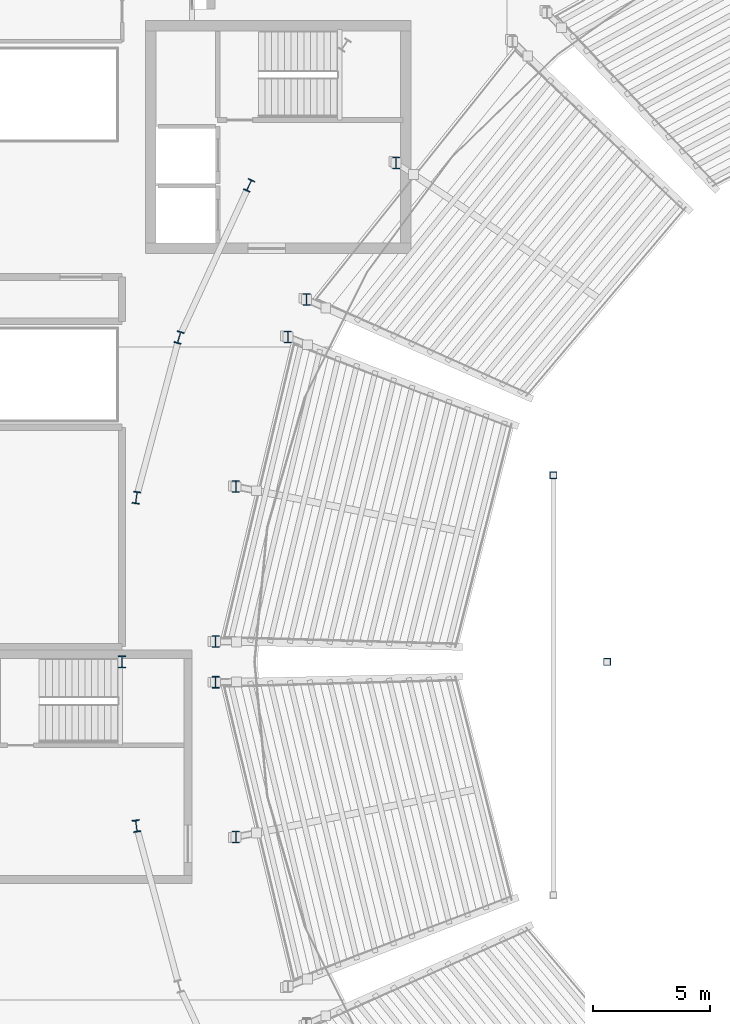
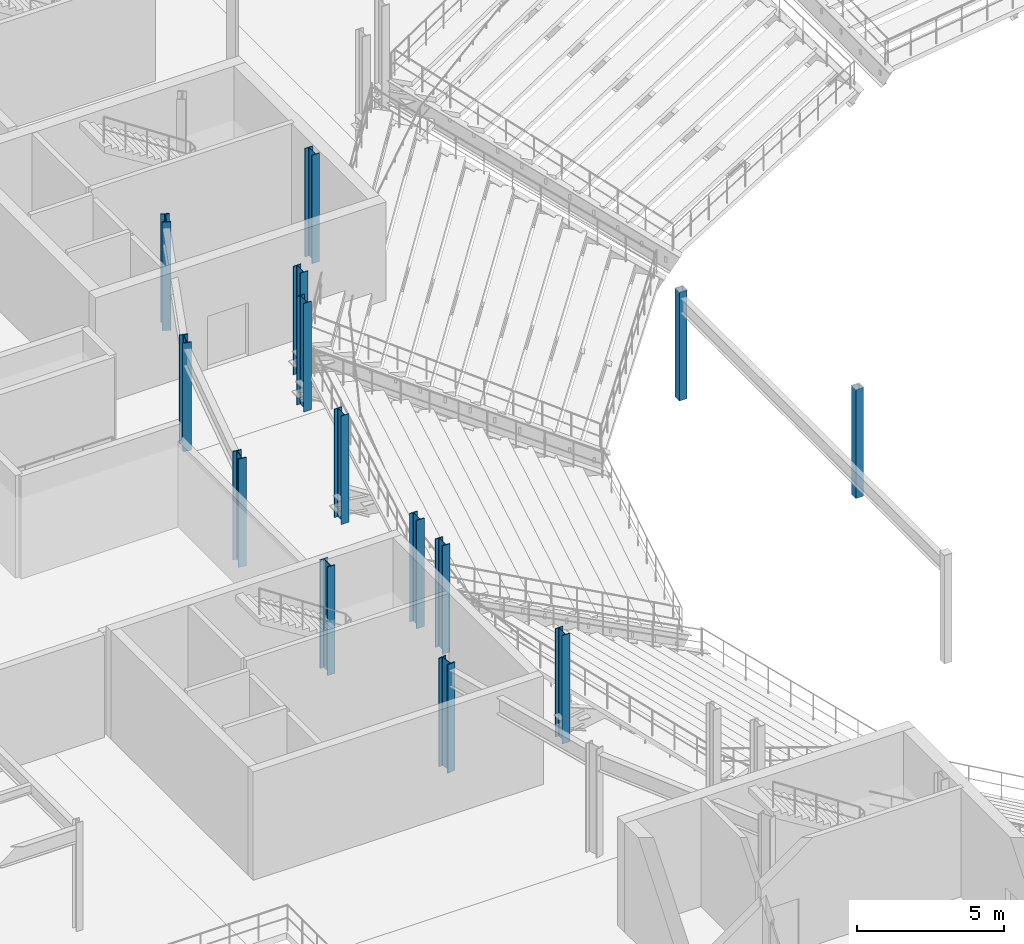
# One storey, part 9 of 81: 14 columns.
"""IFC4 building model written with IfcOpenShell, lengths in metres."""

import ifcopenshell
import ifcopenshell.guid

model = None  # the IFC model being written
_history = None  # IfcOwnerHistory: only IFC2X3 demands one
_inside = {}  # id of a spatial element -> (the spatial element, [elements in it])
_under = {}  # id of a project, library or spatial element -> (it, [spatial elements below it])
_declared = {}  # id of a project -> (the project, [libraries it declares])
_typed = {}  # id of a type object -> (the type object, [elements of that type])
_made_of = {}  # id of a material, layer set ... -> (it, [elements and type objects made of it])


def new_model(schema):
    """Start an empty IFC model of exactly this schema.

    Asked for "IFC4X3", IfcOpenShell would pick the latest addendum, in which some entities
    have other attributes; the version numbers below select the first issue.
    IFC2X3 requires an IfcOwnerHistory on every rooted entity: one is made here for all.
    """
    global model, _history
    if schema == "IFC4X3":
        model = ifcopenshell.file(schema_version=(4, 3, 0, 0))
    else:
        model = ifcopenshell.file(schema=schema)
    _inside.clear()
    _under.clear()
    _declared.clear()
    _typed.clear()
    _made_of.clear()
    _history = None
    if model.schema == "IFC2X3":
        org = make("IfcOrganization", Name="unknown")
        user = make(
            "IfcPersonAndOrganization",
            ThePerson=make("IfcPerson", FamilyName="unknown"),
            TheOrganization=org,
        )
        app = make(
            "IfcApplication",
            ApplicationDeveloper=org,
            Version="unknown",
            ApplicationFullName="unknown",
            ApplicationIdentifier="unknown",
        )
        _history = make(
            "IfcOwnerHistory",
            OwningUser=user,
            OwningApplication=app,
            ChangeAction="ADDED",
            CreationDate=0,
        )
    return model


def make(cls, **values):
    """One entity of the class cls with the attributes given. An attribute that is None is left unset."""
    return model.create_entity(
        cls, **{name: value for name, value in values.items() if value is not None}
    )


def rooted(cls, **values):
    """An entity with a GlobalId (a new one), such as an element, a storey or a relation."""
    return make(cls, GlobalId=ifcopenshell.guid.new(), OwnerHistory=_history, **values)


def si_unit(unit_type, name, prefix=None):
    """IfcSIUnit, for example si_unit("LENGTHUNIT", "METRE", prefix="MILLI")."""
    return make("IfcSIUnit", UnitType=unit_type, Prefix=prefix, Name=name)


def assignment(units):
    """IfcUnitAssignment: the units of a project."""
    return None if units is None else make("IfcUnitAssignment", Units=units)


def point(xyz):
    """IfcCartesianPoint."""
    return None if xyz is None else make("IfcCartesianPoint", Coordinates=xyz)


def direction(xyz):
    """IfcDirection."""
    return None if xyz is None else make("IfcDirection", DirectionRatios=xyz)


def frame(location, z_axis=None, x_axis=None):
    """IfcAxis2Placement3D, a coordinate frame: its origin and axes. An axis left out is left unset."""
    return make(
        "IfcAxis2Placement3D",
        Location=point(location),
        Axis=direction(z_axis),
        RefDirection=direction(x_axis),
    )


def frame_2d(location, x_axis=None):
    """IfcAxis2Placement2D, a coordinate frame in the plane: its origin and x axis."""
    return make(
        "IfcAxis2Placement2D", Location=point(location), RefDirection=direction(x_axis)
    )


def origin():
    """The frame at (0, 0, 0) with its axes left unset."""
    return frame((0.0, 0.0, 0.0))


def origin_2d():
    """The frame at (0, 0) in the plane with its x axis left unset."""
    return frame_2d((0.0, 0.0))


def place(relative_to, where):
    """IfcLocalPlacement: puts the frame where relative to a parent placement (None: the world)."""
    return make(
        "IfcLocalPlacement", PlacementRelTo=relative_to, RelativePlacement=where
    )


def context(
    kind, dimensions, precision=None, world=None, true_north=None, identifier=None
):
    """IfcGeometricRepresentationContext, for example the 3D "Model" context."""
    return make(
        "IfcGeometricRepresentationContext",
        ContextIdentifier=identifier,
        ContextType=kind,
        CoordinateSpaceDimension=dimensions,
        Precision=precision,
        WorldCoordinateSystem=world,
        TrueNorth=true_north,
    )


def subcontext(parent, identifier, kind, view, scale=None):
    """IfcGeometricRepresentationSubContext, for example "Body" below "Model"."""
    return make(
        "IfcGeometricRepresentationSubContext",
        ContextIdentifier=identifier,
        ContextType=kind,
        ParentContext=parent,
        TargetScale=scale,
        TargetView=view,
    )


def project(units=None, contexts=None):
    """IfcProject with its units and contexts."""
    return rooted(
        "IfcProject",
        Name="project",
        RepresentationContexts=contexts,
        UnitsInContext=assignment(units),
    )


def spatial(cls, under=None, at=None, **own):
    """A site, building, storey or space (cls), placed at a placement, below another one or the project."""
    s = rooted(cls, ObjectPlacement=at, **own)
    if under is not None:
        _under.setdefault(under.id(), (under, []))[1].append(s)
    return s


def profile(cls, at=None, kind="AREA", **sizes):
    """A parametric profile (cls). Its sizes go by their IFC names, for example OverallWidth=200.0."""
    return make(cls, ProfileType=kind, Position=at, **sizes)


def hollow_rectangle(**sizes):
    """IfcRectangleHollowProfileDef."""
    return profile("IfcRectangleHollowProfileDef", **sizes)


def i_section(**sizes):
    """IfcIShapeProfileDef."""
    return profile("IfcIShapeProfileDef", **sizes)


def extrude(swept, where, along, depth):
    """IfcExtrudedAreaSolid: the profile swept, set in the frame where, extruded along a direction by depth."""
    return make(
        "IfcExtrudedAreaSolid",
        SweptArea=swept,
        Position=where,
        ExtrudedDirection=direction(along),
        Depth=depth,
    )


def shape(context_of_items, identifier, shape_type, items):
    """IfcShapeRepresentation: the items that make up one representation, for example the "Body"."""
    return make(
        "IfcShapeRepresentation",
        ContextOfItems=context_of_items,
        RepresentationIdentifier=identifier,
        RepresentationType=shape_type,
        Items=items,
    )


def material(Name=None, Category=None):
    """IfcMaterial."""
    return make("IfcMaterial", Name=Name, Category=Category)


def material_profile(
    of_material, cross_section, Name=None, Category=None, Priority=None
):
    """IfcMaterialProfile: a cross section and its material."""
    return make(
        "IfcMaterialProfile",
        Name=Name,
        Material=of_material,
        Profile=cross_section,
        Priority=Priority,
        Category=Category,
    )


def profile_set(profiles, Name=None, composite=None):
    """IfcMaterialProfileSet."""
    return make(
        "IfcMaterialProfileSet",
        Name=Name,
        MaterialProfiles=profiles,
        CompositeProfile=composite,
    )


def made_of(thing, what):
    """Note that an element or type object is made of a material, layer set ...; save() writes the relation."""
    if what is not None:
        _made_of.setdefault(what.id(), (what, []))[1].append(thing)
    return thing


def type_object(cls, material=None, **own):
    """A type object (cls), such as IfcWallType, which elements share."""
    return made_of(rooted(cls, **own), material)


def element(
    cls,
    number,
    at=None,
    inside=None,
    cuts=None,
    type_object=None,
    material=None,
    context=None,
    identifier="Body",
    shape_type=None,
    held_by="IfcProductDefinitionShape",
    body=None,
    shapes=None,
    **own,
):
    """One element of the class cls, such as IfcWall. Its Tag is "e" and its number.

    at: its placement. inside: the storey or other place that contains it. cuts: it is an
    opening in that element (IfcRelVoidsElement). A single representation is given by context,
    identifier, shape_type and body (its items); several are given by shapes. held_by: the class
    of the entity that holds the representations. save() writes the other relations.
    """
    e = rooted(cls, Tag="e%d" % number, ObjectPlacement=at, **own)
    if body is not None:
        shapes = [shape(context, identifier, shape_type, body)]
    if shapes is not None:
        e.Representation = make(held_by, Representations=shapes)
    if inside is not None:
        _inside.setdefault(inside.id(), (inside, []))[1].append(e)
    if cuts is not None:
        rooted(
            "IfcRelVoidsElement", RelatingBuildingElement=cuts, RelatedOpeningElement=e
        )
    if type_object is not None:
        _typed.setdefault(type_object.id(), (type_object, []))[1].append(e)
    return made_of(e, material)


def aggregate(whole, parts):
    """IfcRelAggregates: a whole, such as a stair, and the parts it consists of."""
    return rooted("IfcRelAggregates", RelatingObject=whole, RelatedObjects=parts)


def save(model, path):
    """Write the relations noted so far, then the file.

    IfcRelAggregates (storeys below a building ...), IfcRelContainedInSpatialStructure (elements
    in a storey), IfcRelDefinesByType, IfcRelAssociatesMaterial and IfcRelDeclares: one each for
    every whole, place, type object, material and project.
    """
    for whole, parts in _under.values():
        aggregate(whole, parts)
    for where, things in _inside.values():
        rooted(
            "IfcRelContainedInSpatialStructure",
            RelatedElements=things,
            RelatingStructure=where,
        )
    for kind, things in _typed.values():
        rooted("IfcRelDefinesByType", RelatedObjects=things, RelatingType=kind)
    for what, things in _made_of.values():
        rooted("IfcRelAssociatesMaterial", RelatedObjects=things, RelatingMaterial=what)
    for by, libraries in _declared.values():
        rooted("IfcRelDeclares", RelatingContext=by, RelatedDefinitions=libraries)
    model.write(path)


model = new_model("IFC4")

# Units and contexts
model_context = context("Model", 3, precision=1e-05, world=origin(), true_north=direction((0.0, 1.0)))
body_context = subcontext(model_context, "Body", "Model", "MODEL_VIEW")
ifc_project = project(units=[si_unit("LENGTHUNIT", "METRE"), si_unit("AREAUNIT", "SQUARE_METRE"), si_unit("VOLUMEUNIT", "CUBIC_METRE"), si_unit("PLANEANGLEUNIT", "RADIAN"), si_unit("MASSUNIT", "GRAM", prefix="KILO")], contexts=[model_context])

# Site, building, storey
site_placement = place(None, origin())
site = spatial("IfcSite", under=ifc_project, at=site_placement, CompositionType="ELEMENT")
building_placement = place(site_placement, origin())
building = spatial("IfcBuilding", under=site, at=building_placement, Name="Glasvene Arena", CompositionType="ELEMENT")
storey_placement = place(building_placement, frame((0.0, 0.0, 15.0)))
storey = spatial("IfcBuildingStorey", under=building, at=storey_placement, Name="L03", CompositionType="ELEMENT", Elevation=15.0)

# Columns
ifc_material = material(Name="Steel S355J2", Category="steel")
ifc_material_profile_1 = material_profile(ifc_material, i_section(OverallWidth=0.305908203125, OverallDepth=0.52392578125, WebThickness=0.02099609375, FlangeThickness=0.0400390625, FilletRadius=0.027099609375, at=origin_2d()), Name="HEM 500")
ifc_profile_set_1 = profile_set([ifc_material_profile_1], Name="Steel S355J2")
column_type_1 = type_object("IfcColumnType", Name="COL-RING-HEM500", PredefinedType="COLUMN", material=ifc_profile_set_1)
for number, where, z_axis, x_axis, name in (
    (1, (47.44970703125, 93.4296875, 0.0), (0.0, 0.0, 1.0), (-0.909018020308, 0.416756810089, 0.0), "Bowl ring column R18 L03"),
    (2, (44.447265625, 86.90576171875, 0.0), (0.0, 0.0, 1.0), (-0.959805291975, 0.280666708921, 0.0), "Bowl ring column R19 L03"),
    (3, (42.615478515625, 80.03955078125, 0.0), (0.0, 0.0, 1.0), (-0.989999050734, 0.141074021516, 0.0), "Bowl ring column R20 L03"),
    (4, (42.0, 73.0, 0.0), (0.0, 0.0, 1.0), (-1.0, 0.0, 0.0), "Bowl ring column R21 L03"),
    (5, (42.615478515625, 65.96044921875, 0.0), (0.0, 0.0, 1.0), (-0.989999050734, -0.141074021516, 0.0), "Bowl ring column R22 L03"),
):
    element("IfcColumn", number, at=place(storey_placement, frame(where, z_axis=z_axis, x_axis=x_axis)), inside=storey, type_object=column_type_1, Name=name, PredefinedType="COLUMN", context=body_context, shape_type="SweptSolid", body=[
        extrude(i_section(OverallWidth=0.305908203125, OverallDepth=0.52392578125, WebThickness=0.02099609375, FlangeThickness=0.0400390625, FilletRadius=0.027099609375, at=origin_2d()), origin(), (0.0, 0.0, 1.0), 4.5),
    ])
ifc_material_profile_2 = material_profile(ifc_material, i_section(OverallWidth=0.300048828125, OverallDepth=0.5, WebThickness=0.014404296875, FlangeThickness=0.028076171875, FilletRadius=0.027099609375, at=origin_2d()), Name="HEB 500")
ifc_profile_set_2 = profile_set([ifc_material_profile_2], Name="Steel S355J2")
column_type_2 = type_object("IfcColumnType", Name="COL-W-HEB500", PredefinedType="COLUMN", material=ifc_profile_set_2)
for number, where, z_axis, x_axis, name in (
    (6, (49.911865234375, 88.53662109375, 0.0), (0.0, 0.0, 1.0), (1.0, 0.0, 0.0), "Upper raker rear column L03 07-2"),
    (7, (49.113037109375, 86.922607421875, 0.0), (0.0, 0.0, 1.0), (1.0, 0.0, 0.0), "Upper raker rear column L03 08-1"),
    (8, (46.01171875, 73.87353515625, 0.0), (0.0, 0.0, 1.0), (1.0, 0.0, 0.0), "Upper raker rear column L03 08-2"),
    (9, (46.01171875, 72.12646484375, 0.0), (0.0, 0.0, 1.0), (1.0, 0.0, 0.0), "Upper raker rear column L03 09-1"),
    (10, (53.75244140625, 94.389404296875, 0.0), (0.0, 0.0, 1.0), (1.0, 0.0, 0.0), "Mid-sector rear raker column L03 07"),
    (11, (46.8837890625, 80.510986328125, 0.0), (0.0, 0.0, 1.0), (1.0, 0.0, 0.0), "Mid-sector rear raker column L03 08"),
    (12, (46.8837890625, 65.489013671875, 0.0), (0.0, 0.0, 1.0), (1.0, 0.0, 0.0), "Mid-sector rear raker column L03 09"),
):
    element("IfcColumn", number, at=place(storey_placement, frame(where, z_axis=z_axis, x_axis=x_axis)), inside=storey, type_object=column_type_2, Name=name, PredefinedType="COLUMN", context=body_context, shape_type="SweptSolid", body=[
        extrude(i_section(OverallWidth=0.300048828125, OverallDepth=0.5, WebThickness=0.014404296875, FlangeThickness=0.028076171875, FilletRadius=0.027099609375, at=origin_2d()), origin(), (0.0, 0.0, 1.0), 4.5),
    ])
ifc_material_profile_3 = material_profile(ifc_material, hollow_rectangle(XDim=0.300048828125, YDim=0.300048828125, WallThickness=0.012451171875, at=origin_2d()), Name="SHS 300x300x12.5")
ifc_profile_set_3 = profile_set([ifc_material_profile_3], Name="Steel S355J2")
column_type_3 = type_object("IfcColumnType", Name="COL-W-SHS300", PredefinedType="COLUMN", material=ifc_profile_set_3)
for number, where, z_axis, x_axis, name in (
    (13, (60.5, 81.0, 0.0), (0.0, 0.0, 1.0), (1.0, 0.0, 0.0), "Sector 3-3 support column L03-2"),
    (14, (62.800048828125, 73.0, 0.0), (0.0, 0.0, 1.0), (1.0, 0.0, 0.0), "Sector 3-3 support column L03-3"),
):
    element("IfcColumn", number, at=place(storey_placement, frame(where, z_axis=z_axis, x_axis=x_axis)), inside=storey, type_object=column_type_3, Name=name, PredefinedType="COLUMN", context=body_context, shape_type="SweptSolid", body=[
        extrude(hollow_rectangle(XDim=0.300048828125, YDim=0.300048828125, WallThickness=0.012451171875, at=origin_2d()), origin(), (0.0, 0.0, 1.0), 4.5),
    ])

save(model, "model.ifc")
